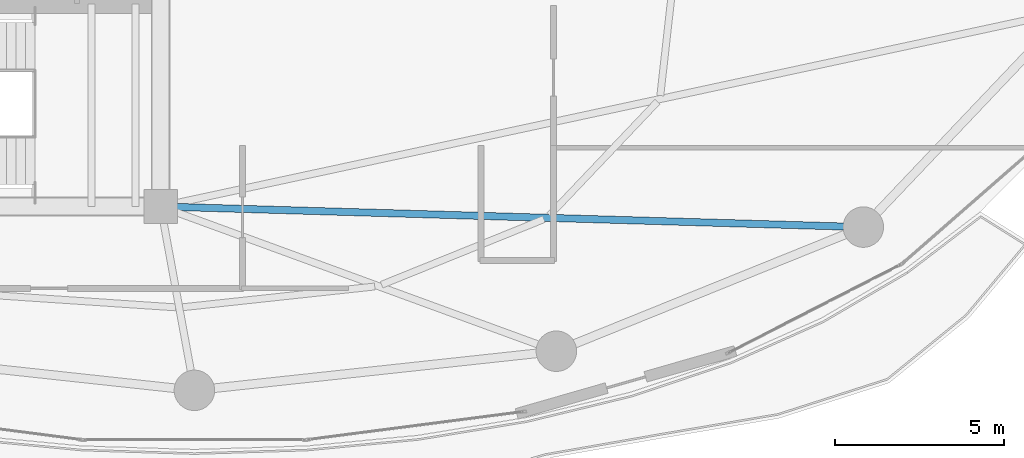
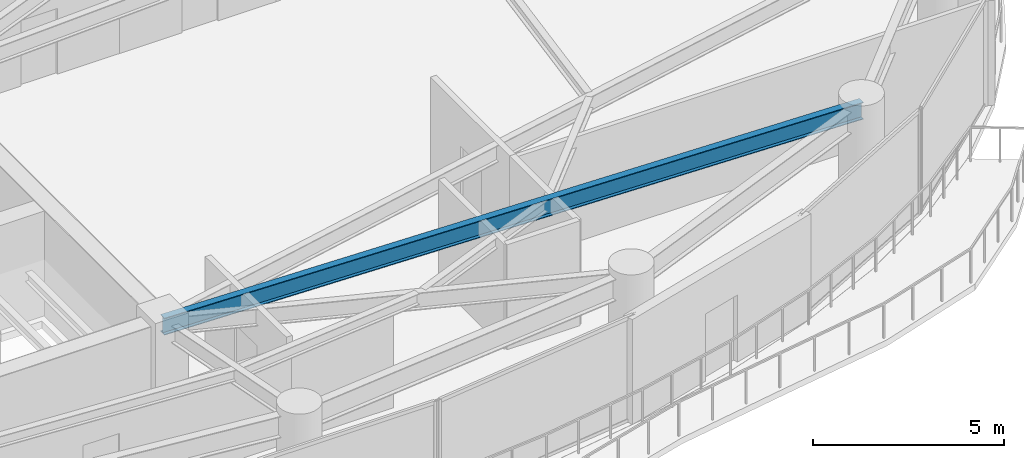
# One storey, part 10 of 30: 1 beam.
"""IFC4 building model written with IfcOpenShell, lengths in metres."""

from ifc_helpers import new_model, si_unit, direction, frame, origin, origin_2d, place, context, subcontext, project, spatial, i_section, extrude, material, material_profile, profile_set, type_object, element, save


model = new_model("IFC4")

# Units and contexts
model_context = context("Model", 3, precision=1e-05, world=origin(), true_north=direction((0.0, 1.0)))
body_context = subcontext(model_context, "Body", "Model", "MODEL_VIEW")
ifc_project = project(units=[si_unit("LENGTHUNIT", "METRE"), si_unit("AREAUNIT", "SQUARE_METRE"), si_unit("VOLUMEUNIT", "CUBIC_METRE"), si_unit("PLANEANGLEUNIT", "RADIAN"), si_unit("MASSUNIT", "GRAM", prefix="KILO")], contexts=[model_context])

# Site, building, storey
site_placement = place(None, origin())
site = spatial("IfcSite", under=ifc_project, at=site_placement, CompositionType="ELEMENT")
building_placement = place(site_placement, origin())
building = spatial("IfcBuilding", under=site, at=building_placement, Name="Kazevale Care Tower and Concert Hall", CompositionType="ELEMENT")
storey_placement = place(building_placement, frame((0.0, 0.0, 131.39990234375)))
storey = spatial("IfcBuildingStorey", under=building, at=storey_placement, Name="L34", CompositionType="ELEMENT", Elevation=131.39990234375)

# Beam
ifc_material = material(Name="Steel ASTM A572 Gr 50", Category="steel")
ifc_material_profile = material_profile(ifc_material, i_section(OverallWidth=0.2119140625, OverallDepth=0.5439453125, WebThickness=0.01318359375, FlangeThickness=0.021240234375, at=origin_2d()), Name="W530x123")
ifc_profile_set = profile_set([ifc_material_profile], Name="Steel ASTM A572 Gr 50")
beam_type = type_object("IfcBeamType", Name="Radial Floor Girder W530x123", PredefinedType="BEAM", material=ifc_profile_set)
beam_placement = place(storey_placement, frame((44.0, 23.60009765625, 3.088134765625), z_axis=(0.99957133157, -0.029277177187, 0.0), x_axis=(0.029277177187, 0.99957133157, 0.0)))
element("IfcBeam", 1, at=beam_placement, inside=storey, type_object=beam_type, Name="beam:L34:rad:15", PredefinedType="BEAM", context=body_context, shape_type="SweptSolid", body=[
    extrude(i_section(OverallWidth=0.2119140625, OverallDepth=0.5439453125, WebThickness=0.01318359375, FlangeThickness=0.021240234375, at=origin_2d()), origin(), (0.0, 0.0, 1.0), 20.839111328125),
])

save(model, "model.ifc")
